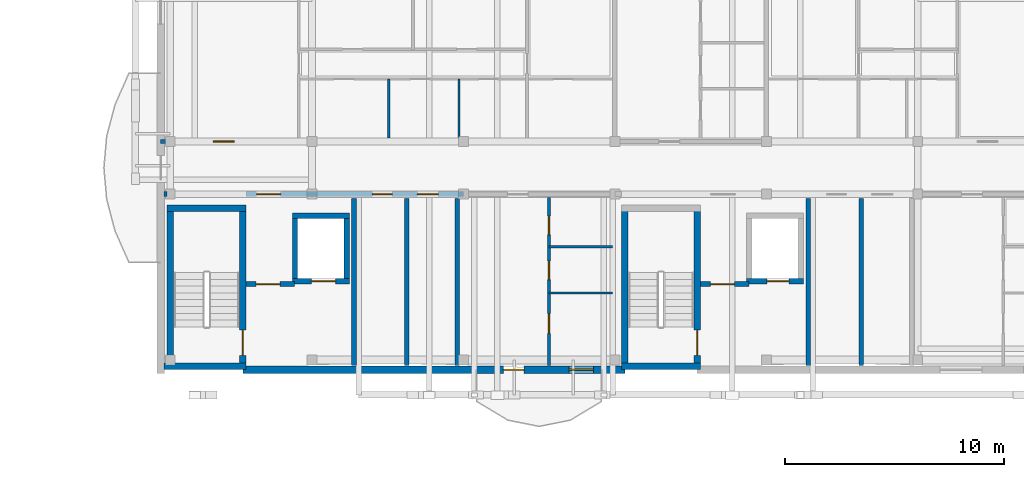
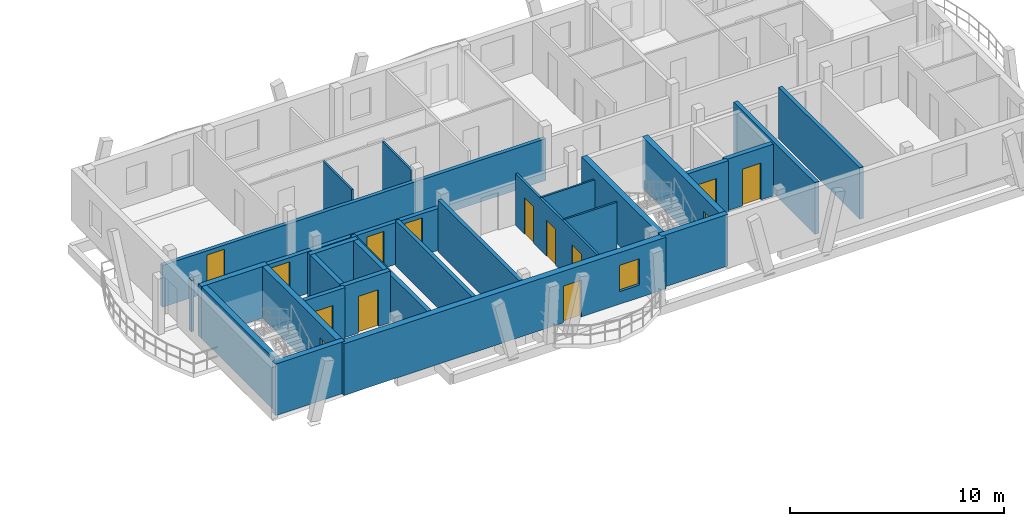
# One storey, part 28 of 42: 28 walls, 14 doors, 1 window, 15 openings.
"""IFC4 building model written with IfcOpenShell, lengths in metres."""

from ifc_helpers import new_model, si_unit, direction, frame, frame_2d, origin, origin_with_axes, place, context, subcontext, project, spatial, rectangle, extrude, material, layer, layer_set, type_object, element, fill, save


model = new_model("IFC4")

# Units and contexts
model_context = context("Model", 3, precision=1e-05, world=origin(), true_north=direction((0.0, 1.0)))
body_context = subcontext(model_context, "Body", "Model", "MODEL_VIEW")
ifc_project = project(units=[si_unit("LENGTHUNIT", "METRE"), si_unit("AREAUNIT", "SQUARE_METRE"), si_unit("VOLUMEUNIT", "CUBIC_METRE"), si_unit("PLANEANGLEUNIT", "RADIAN"), si_unit("MASSUNIT", "GRAM", prefix="KILO")], contexts=[model_context])

# Site, building, storey
site_placement = place(None, origin())
site = spatial("IfcSite", under=ifc_project, at=site_placement, CompositionType="ELEMENT")
building_placement = place(site_placement, origin())
building = spatial("IfcBuilding", under=site, at=building_placement, Name="Zavelmont Quarter", CompositionType="ELEMENT")
storey_placement = place(building_placement, frame((0.0, 0.0, 24.0)))
storey = spatial("IfcBuildingStorey", under=building, at=storey_placement, Name="L07", CompositionType="ELEMENT", Elevation=24.0)

# Wall, openings, door, window
ifc_material_1 = material(Name="Natural Belgian limestone", Category="masonry")
ifc_layer_1 = layer(ifc_material_1, 0.340087890625)
ifc_layer_set_1 = layer_set([ifc_layer_1], Name="Natural Belgian limestone")
wall_type_1 = type_object("IfcWallType", Name="EW03", PredefinedType="STANDARD", material=ifc_layer_set_1)
wall_1_placement = place(storey_placement, frame((130.35009765625, 97.60009765625, 0.0), z_axis=(0.0, 0.0, 1.0), x_axis=(1.0, 0.0, 0.0)))
wall_1 = element("IfcWall", 1, at=wall_1_placement, inside=storey, type_object=wall_type_1, Name="L07 exterior limestone wall EW03", PredefinedType="STANDARD", context=body_context, shape_type="SweptSolid", body=[
    extrude(rectangle(XDim=17.39990234375, YDim=0.340087890625, at=frame_2d((8.699951171875, 0.0))), origin(), (0.0, 0.0, 1.0), 2.949951171875),
])
opening_1_placement = place(wall_1_placement, frame((11.8701171875, 0.0, 0.0)))
opening_1 = element("IfcOpeningElement", 2, at=opening_1_placement, cuts=wall_1, Name="Opening DR04", PredefinedType="OPENING", context=body_context, shape_type="SweptSolid", body=[
    extrude(rectangle(XDim=0.949951171875, YDim=2.10009765625, at=frame_2d((0.47509765625, 1.050048828125))), frame((0.0, 0.18212890625, 0.0), z_axis=(0.0, -1.0, 0.0), x_axis=(1.0, 0.0, 0.0)), (0.0, 0.0, 1.0), 0.364013671875),
])
opening_2_placement = place(wall_1_placement, frame((14.8701171875, 0.0, 0.719970703125)))
opening_2 = element("IfcOpeningElement", 3, at=opening_2_placement, cuts=wall_1, Name="Opening WN09", PredefinedType="OPENING", context=body_context, shape_type="SweptSolid", body=[
    extrude(rectangle(XDim=1.10009765625, YDim=1.5, at=frame_2d((0.550048828125, 0.75))), frame((0.0, 0.18212890625, 0.0), z_axis=(0.0, -1.0, 0.0), x_axis=(1.0, 0.0, 0.0)), (0.0, 0.0, 1.0), 0.364013671875),
])
ifc_material_2 = material(Name="Thermally broken aluminium and double safety glass", Category="aluminium")
door_type_1 = type_object("IfcDoorType", Name="DR04", OperationType="NOTDEFINED", PredefinedType="DOOR", material=ifc_material_2)
door_1_placement = place(opening_1_placement, origin_with_axes())
door_1 = element("IfcDoor", 4, at=door_1_placement, inside=storey, type_object=door_type_1, Name="Block C L07 glazed balcony door", OperationType="SINGLE_SWING_RIGHT", OverallHeight=2.10009765625, OverallWidth=0.949951171875, PredefinedType="DOOR", context=body_context, shape_type="SweptSolid", body=[
    extrude(rectangle(XDim=0.949951171875, YDim=2.10009765625, at=frame_2d((0.47509765625, 1.050048828125))), frame((0.0, 0.02490234375, 0.0), z_axis=(0.0, -1.0, 0.0), x_axis=(1.0, 0.0, 0.0)), (0.0, 0.0, 1.0), 0.050048828125),
])
fill(opening_1, door_1)
ifc_material_3 = material(Name="Double low-E insulated glazing in thermally broken aluminium frame", Category="aluminium")
window_type = type_object("IfcWindowType", Name="WN09", PartitioningType="SINGLE_PANEL", PredefinedType="WINDOW", material=ifc_material_3)
window_placement = place(opening_2_placement, origin_with_axes())
window = element("IfcWindow", 5, at=window_placement, inside=storey, type_object=window_type, Name="L07 window WN09", OverallHeight=1.5, OverallWidth=1.10009765625, PartitioningType="SINGLE_PANEL", PredefinedType="WINDOW", context=body_context, shape_type="SweptSolid", body=[
    extrude(rectangle(XDim=1.10009765625, YDim=1.5, at=frame_2d((0.550048828125, 0.75))), frame((0.0, 0.030029296875, 0.0), z_axis=(0.0, -1.0, 0.0), x_axis=(1.0, 0.0, 0.0)), (0.0, 0.0, 1.0), 0.06005859375),
])
fill(opening_2, window)

# Walls
ifc_material_4 = material(Name="Calcium-silicate blockwork and acoustic plaster", Category="masonry")
ifc_layer_2 = layer(ifc_material_4, 0.199951171875)
ifc_layer_set_2 = layer_set([ifc_layer_2], Name="Calcium-silicate blockwork and acoustic plaster")
wall_type_2 = type_object("IfcWallType", Name="IW01", PredefinedType="PARTITIONING", material=ifc_layer_set_2)
wall_2_placement = place(storey_placement, frame((137.824951171875, 97.800048828125, 0.0), z_axis=(0.0, 0.0, 1.0), x_axis=(0.0, 1.0, 0.0)))
element("IfcWall", 6, at=wall_2_placement, inside=storey, type_object=wall_type_2, Name="L07 Service riser divider wall IW01", PredefinedType="PARTITIONING", context=body_context, shape_type="SweptSolid", body=[
    extrude(rectangle(XDim=7.599853515625, YDim=0.199951171875, at=frame_2d((3.7998046875, 0.0))), origin(), (0.0, 0.0, 1.0), 2.590087890625),
])
for number, where, z_axis, x_axis, name in (
    (7, (140.1201171875, 97.800048828125, 0.0), (0.0, 0.0, 1.0), (0.0, 1.0, 0.0), "L07 Core service end wall IW01"),
    (8, (158.52490234375, 97.800048828125, 0.0), (0.0, 0.0, 1.0), (0.0, 1.0, 0.0), "L07 Service riser divider wall IW01"),
):
    element("IfcWall", number, at=place(storey_placement, frame(where, z_axis=z_axis, x_axis=x_axis)), inside=storey, type_object=wall_type_2, Name=name, PredefinedType="PARTITIONING", context=body_context, shape_type="SweptSolid", body=[
        extrude(rectangle(XDim=7.599853515625, YDim=0.199951171875, at=frame_2d((3.7998046875, 0.0))), origin(), (0.0, 0.0, 1.0), 2.949951171875),
    ])

# Wall, opening, door
wall_3_placement = place(storey_placement, frame((126.60009765625, 108.0, 0.0), z_axis=(0.0, 0.0, 1.0), x_axis=(1.0, 0.0, 0.0)))
wall_3 = element("IfcWall", 9, at=wall_3_placement, inside=storey, type_object=wall_type_2, Name="L07 Corridor compartment wall IW01", PredefinedType="PARTITIONING", context=body_context, shape_type="SweptSolid", body=[
    extrude(rectangle(XDim=20.699951171875, YDim=0.199951171875, at=frame_2d((10.35009765625, 0.0))), origin(), (0.0, 0.0, 1.0), 2.389892578125),
])
opening_3_placement = place(wall_3_placement, frame((2.39990234375, 0.0, 0.0)))
opening_3 = element("IfcOpeningElement", 10, at=opening_3_placement, cuts=wall_3, Name="Opening DR02", PredefinedType="OPENING", context=body_context, shape_type="SweptSolid", body=[
    extrude(rectangle(XDim=0.949951171875, YDim=2.14990234375, at=frame_2d((0.47509765625, 1.074951171875))), frame((0.0, 0.11181640625, 0.0), z_axis=(0.0, -1.0, 0.0), x_axis=(1.0, 0.0, 0.0)), (0.0, 0.0, 1.0), 0.223876953125),
])
ifc_material_5 = material(Name="Solid-core oak fire leaf in steel frame", Category="steel")
door_type_2 = type_object("IfcDoorType", Name="DR02", OperationType="NOTDEFINED", PredefinedType="DOOR", material=ifc_material_5)
door_2_placement = place(opening_3_placement, origin_with_axes())
door_2 = element("IfcDoor", 11, at=door_2_placement, inside=storey, type_object=door_type_2, Name="L07 door DR02", OperationType="SINGLE_SWING_RIGHT", OverallHeight=2.14990234375, OverallWidth=0.949951171875, PredefinedType="DOOR", context=body_context, shape_type="SweptSolid", body=[
    extrude(rectangle(XDim=0.949951171875, YDim=2.14990234375, at=frame_2d((0.47509765625, 1.074951171875))), frame((0.0, 0.02490234375, 0.0), z_axis=(0.0, -1.0, 0.0), x_axis=(1.0, 0.0, 0.0)), (0.0, 0.0, 1.0), 0.050048828125),
])
fill(opening_3, door_2)

# Wall
ifc_material_6 = material(Name="Reinforced masonry fire compartment wall", Category="masonry")
ifc_layer_3 = layer(ifc_material_6, 0.22509765625)
ifc_layer_set_3 = layer_set([ifc_layer_3], Name="Reinforced masonry fire compartment wall")
wall_type_3 = type_object("IfcWallType", Name="IW02", PredefinedType="PARTITIONING", material=ifc_layer_set_3)
wall_4_placement = place(storey_placement, frame((135.409912109375, 97.800048828125, 0.0), z_axis=(0.0, 0.0, 1.0), x_axis=(0.0, 1.0, 0.0)))
element("IfcWall", 12, at=wall_4_placement, inside=storey, type_object=wall_type_3, Name="L07 Firefighting lobby enclosure wall IW02", PredefinedType="PARTITIONING", context=body_context, shape_type="SweptSolid", body=[
    extrude(rectangle(XDim=7.599853515625, YDim=0.22509765625, at=frame_2d((3.7998046875, 0.0))), origin(), (0.0, 0.0, 1.0), 2.590087890625),
])

# Wall, opening, door
wall_5_placement = place(storey_placement, frame((130.5, 101.5, 0.0), z_axis=(0.0, 0.0, 1.0), x_axis=(1.0, 0.0, 0.0)))
wall_5 = element("IfcWall", 13, at=wall_5_placement, inside=storey, type_object=wall_type_3, Name="L07 Firefighting lobby threshold wall IW02", PredefinedType="PARTITIONING", context=body_context, shape_type="SweptSolid", body=[
    extrude(rectangle(XDim=2.199951171875, YDim=0.22509765625, at=frame_2d((1.10009765625, 0.0))), origin(), (0.0, 0.0, 1.0), 2.949951171875),
])
opening_4_placement = place(wall_5_placement, frame((0.449951171875, 0.0, 0.0)))
opening_4 = element("IfcOpeningElement", 14, at=opening_4_placement, cuts=wall_5, Name="Opening DR10", PredefinedType="OPENING", context=body_context, shape_type="SweptSolid", body=[
    extrude(rectangle(XDim=1.10009765625, YDim=2.14990234375, at=frame_2d((0.550048828125, 1.074951171875))), frame((0.0, 0.12451171875, 0.0), z_axis=(0.0, -1.0, 0.0), x_axis=(1.0, 0.0, 0.0)), (0.0, 0.0, 1.0), 0.2490234375),
])
ifc_material_7 = material(Name="Painted steel lobby fire door", Category="steel")
door_type_3 = type_object("IfcDoorType", Name="DR10", OperationType="NOTDEFINED", PredefinedType="DOOR", material=ifc_material_7)
door_3_placement = place(opening_4_placement, frame((1.10009765625, 0.0, 0.0), z_axis=(0.0, 0.0, 1.0), x_axis=(-1.0, 0.0, 0.0)))
door_3 = element("IfcDoor", 15, at=door_3_placement, inside=storey, type_object=door_type_3, Name="Firefighting lobby fire door", OperationType="SINGLE_SWING_LEFT", OverallHeight=2.14990234375, OverallWidth=1.10009765625, PredefinedType="DOOR", context=body_context, shape_type="SweptSolid", body=[
    extrude(rectangle(XDim=1.10009765625, YDim=2.14990234375, at=frame_2d((0.550048828125, 1.074951171875))), frame((0.0, 0.02490234375, 0.0), z_axis=(0.0, -1.0, 0.0), x_axis=(1.0, 0.0, 0.0)), (0.0, 0.0, 1.0), 0.050048828125),
])
fill(opening_4, door_3)

# Wall
wall_6_placement = place(storey_placement, frame((126.75, 105.60009765625, 0.0), z_axis=(0.0, 0.0, 1.0), x_axis=(1.0, 0.0, 0.0)))
element("IfcWall", 16, at=wall_6_placement, inside=storey, type_object=wall_type_3, Name="L07 Core corridor wall IW02", PredefinedType="PARTITIONING", context=body_context, shape_type="SweptSolid", body=[
    extrude(rectangle(XDim=0.14990234375, YDim=0.22509765625, at=frame_2d((0.074951171875, 0.0))), origin(), (0.0, 0.0, 1.0), 2.949951171875),
])

# Wall, openings, doors
wall_7_placement = place(storey_placement, frame((130.5, 105.60009765625, 0.0), z_axis=(0.0, 0.0, 1.0), x_axis=(1.0, 0.0, 0.0)))
wall_7 = element("IfcWall", 17, at=wall_7_placement, inside=storey, type_object=wall_type_3, Name="L07 Core corridor fire wall IW02", PredefinedType="PARTITIONING", context=body_context, shape_type="SweptSolid", body=[
    extrude(rectangle(XDim=9.89990234375, YDim=0.22509765625, at=frame_2d((4.949951171875, 0.0))), origin(), (0.0, 0.0, 1.0), 2.389892578125),
])
opening_5_placement = place(wall_7_placement, frame((0.47509765625, 0.0, 0.0)))
opening_5 = element("IfcOpeningElement", 18, at=opening_5_placement, cuts=wall_7, Name="Opening DR10", PredefinedType="OPENING", context=body_context, shape_type="SweptSolid", body=[
    extrude(rectangle(XDim=1.10009765625, YDim=2.14990234375, at=frame_2d((0.550048828125, 1.074951171875))), frame((0.0, 0.12451171875, 0.0), z_axis=(0.0, -1.0, 0.0), x_axis=(1.0, 0.0, 0.0)), (0.0, 0.0, 1.0), 0.2490234375),
])
opening_6_placement = place(wall_7_placement, frame((5.75, 0.0, 0.0)))
opening_6 = element("IfcOpeningElement", 19, at=opening_6_placement, cuts=wall_7, Name="Opening DR11", PredefinedType="OPENING", context=body_context, shape_type="SweptSolid", body=[
    extrude(rectangle(XDim=0.89990234375, YDim=2.10009765625, at=frame_2d((0.449951171875, 1.050048828125))), frame((0.0, 0.12451171875, 0.0), z_axis=(0.0, -1.0, 0.0), x_axis=(1.0, 0.0, 0.0)), (0.0, 0.0, 1.0), 0.2490234375),
])
opening_7_placement = place(wall_7_placement, frame((7.800048828125, 0.0, 0.0)))
opening_7 = element("IfcOpeningElement", 20, at=opening_7_placement, cuts=wall_7, Name="Opening DR02", PredefinedType="OPENING", context=body_context, shape_type="SweptSolid", body=[
    extrude(rectangle(XDim=0.949951171875, YDim=2.14990234375, at=frame_2d((0.47509765625, 1.074951171875))), frame((0.0, 0.12451171875, 0.0), z_axis=(0.0, -1.0, 0.0), x_axis=(1.0, 0.0, 0.0)), (0.0, 0.0, 1.0), 0.2490234375),
])
door_4_placement = place(opening_7_placement, origin_with_axes())
door_4 = element("IfcDoor", 21, at=door_4_placement, inside=storey, type_object=door_type_2, Name="Auxiliary store corridor door", OperationType="SINGLE_SWING_RIGHT", OverallHeight=2.14990234375, OverallWidth=0.949951171875, PredefinedType="DOOR", context=body_context, shape_type="SweptSolid", body=[
    extrude(rectangle(XDim=0.949951171875, YDim=2.14990234375, at=frame_2d((0.47509765625, 1.074951171875))), frame((0.0, 0.02490234375, 0.0), z_axis=(0.0, -1.0, 0.0), x_axis=(1.0, 0.0, 0.0)), (0.0, 0.0, 1.0), 0.050048828125),
])
fill(opening_7, door_4)
door_5_placement = place(opening_5_placement, frame((1.10009765625, 0.0, 0.0), z_axis=(0.0, 0.0, 1.0), x_axis=(-1.0, 0.0, 0.0)))
door_5 = element("IfcDoor", 22, at=door_5_placement, inside=storey, type_object=door_type_3, Name="Core vestibule fire door", OperationType="SINGLE_SWING_RIGHT", OverallHeight=2.14990234375, OverallWidth=1.10009765625, PredefinedType="DOOR", context=body_context, shape_type="SweptSolid", body=[
    extrude(rectangle(XDim=1.10009765625, YDim=2.14990234375, at=frame_2d((0.550048828125, 1.074951171875))), frame((0.0, 0.02490234375, 0.0), z_axis=(0.0, -1.0, 0.0), x_axis=(1.0, 0.0, 0.0)), (0.0, 0.0, 1.0), 0.050048828125),
])
fill(opening_5, door_5)
ifc_material_8 = material(Name="Painted steel service-riser fire door", Category="steel")
door_type_4 = type_object("IfcDoorType", Name="DR11", OperationType="NOTDEFINED", PredefinedType="DOOR", material=ifc_material_8)
door_6_placement = place(opening_6_placement, origin_with_axes())
door_6 = element("IfcDoor", 23, at=door_6_placement, inside=storey, type_object=door_type_4, Name="Service riser fire door", OperationType="SINGLE_SWING_LEFT", OverallHeight=2.10009765625, OverallWidth=0.89990234375, PredefinedType="DOOR", context=body_context, shape_type="SweptSolid", body=[
    extrude(rectangle(XDim=0.89990234375, YDim=2.10009765625, at=frame_2d((0.449951171875, 1.050048828125))), frame((0.0, 0.02490234375, 0.0), z_axis=(0.0, -1.0, 0.0), x_axis=(1.0, 0.0, 0.0)), (0.0, 0.0, 1.0), 0.050048828125),
])
fill(opening_6, door_6)

# Wall
wall_8_placement = place(storey_placement, frame((156.110107421875, 97.800048828125, 0.0), z_axis=(0.0, 0.0, 1.0), x_axis=(0.0, 1.0, 0.0)))
element("IfcWall", 24, at=wall_8_placement, inside=storey, type_object=wall_type_3, Name="L07 Firefighting lobby enclosure wall IW02", PredefinedType="PARTITIONING", context=body_context, shape_type="SweptSolid", body=[
    extrude(rectangle(XDim=7.599853515625, YDim=0.22509765625, at=frame_2d((3.7998046875, 0.0))), origin(), (0.0, 0.0, 1.0), 2.949951171875),
])

# Wall, opening, door
wall_9_placement = place(storey_placement, frame((151.199951171875, 101.5, 0.0), z_axis=(0.0, 0.0, 1.0), x_axis=(1.0, 0.0, 0.0)))
wall_9 = element("IfcWall", 25, at=wall_9_placement, inside=storey, type_object=wall_type_3, Name="L07 Firefighting lobby threshold wall IW02", PredefinedType="PARTITIONING", context=body_context, shape_type="SweptSolid", body=[
    extrude(rectangle(XDim=2.199951171875, YDim=0.22509765625, at=frame_2d((1.10009765625, 0.0))), origin(), (0.0, 0.0, 1.0), 2.949951171875),
])
opening_8_placement = place(wall_9_placement, frame((0.449951171875, 0.0, 0.0)))
opening_8 = element("IfcOpeningElement", 26, at=opening_8_placement, cuts=wall_9, Name="Opening DR10", PredefinedType="OPENING", context=body_context, shape_type="SweptSolid", body=[
    extrude(rectangle(XDim=1.10009765625, YDim=2.14990234375, at=frame_2d((0.550048828125, 1.074951171875))), frame((0.0, 0.12451171875, 0.0), z_axis=(0.0, -1.0, 0.0), x_axis=(1.0, 0.0, 0.0)), (0.0, 0.0, 1.0), 0.2490234375),
])
door_7_placement = place(opening_8_placement, frame((1.10009765625, 0.0, 0.0), z_axis=(0.0, 0.0, 1.0), x_axis=(-1.0, 0.0, 0.0)))
door_7 = element("IfcDoor", 27, at=door_7_placement, inside=storey, type_object=door_type_3, Name="Firefighting lobby fire door", OperationType="SINGLE_SWING_RIGHT", OverallHeight=2.14990234375, OverallWidth=1.10009765625, PredefinedType="DOOR", context=body_context, shape_type="SweptSolid", body=[
    extrude(rectangle(XDim=1.10009765625, YDim=2.14990234375, at=frame_2d((0.550048828125, 1.074951171875))), frame((0.0, 0.02490234375, 0.0), z_axis=(0.0, -1.0, 0.0), x_axis=(1.0, 0.0, 0.0)), (0.0, 0.0, 1.0), 0.050048828125),
])
fill(opening_8, door_7)

# Wall, openings, doors
ifc_material_9 = material(Name="Double gypsum board on acoustic steel stud", Category="steel")
ifc_layer_4 = layer(ifc_material_9, 0.125)
ifc_layer_set_4 = layer_set([ifc_layer_4], Name="Double gypsum board on acoustic steel stud")
wall_type_4 = type_object("IfcWallType", Name="IW03", PredefinedType="PARTITIONING", material=ifc_layer_set_4)
wall_10_placement = place(storey_placement, frame((144.300048828125, 105.449951171875, 0.0), z_axis=(0.0, 0.0, 1.0), x_axis=(0.0, -1.0, 0.0)))
wall_10 = element("IfcWall", 28, at=wall_10_placement, inside=storey, type_object=wall_type_4, Name="L07 Partition IW03", PredefinedType="PARTITIONING", context=body_context, shape_type="SweptSolid", body=[
    extrude(rectangle(XDim=7.64990234375, YDim=0.125, at=frame_2d((3.824951171875, 0.0))), origin(), (0.0, 0.0, 1.0), 2.949951171875),
])
opening_9_placement = place(wall_10_placement, frame((0.85009765625, 0.0, 0.0)))
opening_9 = element("IfcOpeningElement", 29, at=opening_9_placement, cuts=wall_10, Name="Opening DR16", PredefinedType="OPENING", context=body_context, shape_type="SweptSolid", body=[
    extrude(rectangle(XDim=0.85009765625, YDim=2.10009765625, at=frame_2d((0.425048828125, 1.050048828125))), frame((0.0, 0.074462890625, 0.0), z_axis=(0.0, -1.0, 0.0), x_axis=(1.0, 0.0, 0.0)), (0.0, 0.0, 1.0), 0.14892578125),
])
opening_10_placement = place(wall_10_placement, frame((2.89990234375, 0.0, 0.0)))
opening_10 = element("IfcOpeningElement", 30, at=opening_10_placement, cuts=wall_10, Name="Opening DR06", PredefinedType="OPENING", context=body_context, shape_type="SweptSolid", body=[
    extrude(rectangle(XDim=0.85009765625, YDim=2.050048828125, at=frame_2d((0.425048828125, 1.02490234375))), frame((0.0, 0.074462890625, 0.0), z_axis=(0.0, -1.0, 0.0), x_axis=(1.0, 0.0, 0.0)), (0.0, 0.0, 1.0), 0.14892578125),
])
opening_11_placement = place(wall_10_placement, frame((5.300048828125, 0.0, 0.0)))
opening_11 = element("IfcOpeningElement", 31, at=opening_11_placement, cuts=wall_10, Name="Opening DR05", PredefinedType="OPENING", context=body_context, shape_type="SweptSolid", body=[
    extrude(rectangle(XDim=0.89990234375, YDim=2.10009765625, at=frame_2d((0.449951171875, 1.050048828125))), frame((0.0, 0.074462890625, 0.0), z_axis=(0.0, -1.0, 0.0), x_axis=(1.0, 0.0, 0.0)), (0.0, 0.0, 1.0), 0.14892578125),
])
ifc_material_10 = material(Name="Engineered oak flush interior door")
door_type_5 = type_object("IfcDoorType", Name="DR05", OperationType="NOTDEFINED", PredefinedType="DOOR", material=ifc_material_10)
door_8_placement = place(opening_11_placement, frame((0.89990234375, 0.0, 0.0), z_axis=(0.0, 0.0, 1.0), x_axis=(-1.0, 0.0, 0.0)))
door_8 = element("IfcDoor", 32, at=door_8_placement, inside=storey, type_object=door_type_5, Name="L07 door DR05", OperationType="SINGLE_SWING_RIGHT", OverallHeight=2.10009765625, OverallWidth=0.89990234375, PredefinedType="DOOR", context=body_context, shape_type="SweptSolid", body=[
    extrude(rectangle(XDim=0.89990234375, YDim=2.10009765625, at=frame_2d((0.449951171875, 1.050048828125))), frame((0.0, 0.02490234375, 0.0), z_axis=(0.0, -1.0, 0.0), x_axis=(1.0, 0.0, 0.0)), (0.0, 0.0, 1.0), 0.050048828125),
])
fill(opening_11, door_8)
ifc_material_11 = material(Name="Moisture-resistant painted wet-room door")
door_type_6 = type_object("IfcDoorType", Name="DR06", OperationType="NOTDEFINED", PredefinedType="DOOR", material=ifc_material_11)
door_9_placement = place(opening_10_placement, origin_with_axes())
door_9 = element("IfcDoor", 33, at=door_9_placement, inside=storey, type_object=door_type_6, Name="L07 door DR06", OperationType="SINGLE_SWING_LEFT", OverallHeight=2.050048828125, OverallWidth=0.85009765625, PredefinedType="DOOR", context=body_context, shape_type="SweptSolid", body=[
    extrude(rectangle(XDim=0.85009765625, YDim=2.050048828125, at=frame_2d((0.425048828125, 1.02490234375))), frame((0.0, 0.02490234375, 0.0), z_axis=(0.0, -1.0, 0.0), x_axis=(1.0, 0.0, 0.0)), (0.0, 0.0, 1.0), 0.050048828125),
])
fill(opening_10, door_9)
door_type_7 = type_object("IfcDoorType", Name="DR16", OperationType="NOTDEFINED", PredefinedType="DOOR", material=ifc_material_10)
door_10_placement = place(opening_9_placement, frame((0.85009765625, 0.0, 0.0), z_axis=(0.0, 0.0, 1.0), x_axis=(-1.0, 0.0, 0.0)))
door_10 = element("IfcDoor", 34, at=door_10_placement, inside=storey, type_object=door_type_7, Name="L07 door DR16", OperationType="SINGLE_SWING_RIGHT", OverallHeight=2.10009765625, OverallWidth=0.85009765625, PredefinedType="DOOR", context=body_context, shape_type="SweptSolid", body=[
    extrude(rectangle(XDim=0.85009765625, YDim=2.10009765625, at=frame_2d((0.425048828125, 1.050048828125))), frame((0.0, 0.02490234375, 0.0), z_axis=(0.0, -1.0, 0.0), x_axis=(1.0, 0.0, 0.0)), (0.0, 0.0, 1.0), 0.050048828125),
])
fill(opening_9, door_10)

# Walls
ifc_material_12 = material(Name="Moisture-resistant gypsum board on steel stud", Category="steel")
ifc_layer_5 = layer(ifc_material_12, 0.10009765625)
ifc_layer_set_5 = layer_set([ifc_layer_5], Name="Moisture-resistant gypsum board on steel stud")
wall_type_5 = type_object("IfcWallType", Name="IW04", PredefinedType="PARTITIONING", material=ifc_layer_set_5)
for number, where, z_axis, x_axis, name in (
    (35, (137.0, 108.14990234375, 0.0), (0.0, 0.0, 1.0), (0.0, 1.0, 0.0), "L07 Partition IW04"),
    (36, (140.199951171875, 108.14990234375, 0.0), (0.0, 0.0, 1.0), (0.0, 1.0, 0.0), "L07 Partition IW04"),
):
    element("IfcWall", number, at=place(storey_placement, frame(where, z_axis=z_axis, x_axis=x_axis)), inside=storey, type_object=wall_type_5, Name=name, PredefinedType="PARTITIONING", context=body_context, shape_type="SweptSolid", body=[
        extrude(rectangle(XDim=2.7001953125, YDim=0.10009765625, at=frame_2d((1.35009765625, 0.0))), origin(), (0.0, 0.0, 1.0), 2.949951171875),
    ])
for number, where, z_axis, x_axis, name in (
    (37, (144.300048828125, 103.199951171875, 0.0), (0.0, 0.0, 1.0), (1.0, 0.0, 0.0), "L07 Partition IW04"),
    (38, (144.300048828125, 101.10009765625, 0.0), (0.0, 0.0, 1.0), (1.0, 0.0, 0.0), "L07 Partition IW04"),
):
    element("IfcWall", number, at=place(storey_placement, frame(where, z_axis=z_axis, x_axis=x_axis)), inside=storey, type_object=wall_type_5, Name=name, PredefinedType="PARTITIONING", context=body_context, shape_type="SweptSolid", body=[
        extrude(rectangle(XDim=2.89990234375, YDim=0.10009765625, at=frame_2d((1.449951171875, 0.0))), origin(), (0.0, 0.0, 1.0), 2.949951171875),
    ])
ifc_material_13 = material(Name="Concrete C40/50", Category="concrete")
ifc_layer_6 = layer(ifc_material_13, 0.300048828125)
ifc_layer_set_6 = layer_set([ifc_layer_6], Name="Concrete C40/50")
wall_type_6 = type_object("IfcWallType", Name="SW01", PredefinedType="SHEAR", material=ifc_layer_set_6)
wall_11_placement = place(storey_placement, frame((126.89990234375, 104.949951171875, 0.0), z_axis=(0.0, 0.0, 1.0), x_axis=(1.0, 0.0, 0.0)))
element("IfcWall", 39, at=wall_11_placement, inside=storey, type_object=wall_type_6, Name="L07 ST05 corridor shear wall SW01", PredefinedType="SHEAR", context=body_context, shape_type="SweptSolid", body=[
    extrude(rectangle(XDim=3.60009765625, YDim=0.300048828125, at=frame_2d((1.800048828125, 0.0))), origin(), (0.0, 0.0, 1.0), 2.949951171875),
])
wall_12_placement = place(storey_placement, frame((127.050048828125, 97.60009765625, 0.0), z_axis=(0.0, 0.0, 1.0), x_axis=(0.0, 1.0, 0.0)))
element("IfcWall", 40, at=wall_12_placement, inside=storey, type_object=wall_type_6, Name="L07 ST05 west shear wall SW01", PredefinedType="SHEAR", context=body_context, shape_type="SweptSolid", body=[
    extrude(rectangle(XDim=7.5, YDim=0.300048828125, at=frame_2d((3.75, 0.0))), origin(), (0.0, 0.0, 1.0), 2.949951171875),
])

# Wall, opening, door
wall_13_placement = place(storey_placement, frame((130.35009765625, 97.60009765625, 0.0), z_axis=(0.0, 0.0, 1.0), x_axis=(0.0, 1.0, 0.0)))
wall_13 = element("IfcWall", 41, at=wall_13_placement, inside=storey, type_object=wall_type_6, Name="L07 ST05 lobby shear wall SW01", PredefinedType="SHEAR", context=body_context, shape_type="SweptSolid", body=[
    extrude(rectangle(XDim=7.5, YDim=0.300048828125, at=frame_2d((3.75, 0.0))), origin(), (0.0, 0.0, 1.0), 2.949951171875),
])
opening_12_placement = place(wall_13_placement, frame((0.64990234375, 0.0, 0.0)))
opening_12 = element("IfcOpeningElement", 42, at=opening_12_placement, cuts=wall_13, Name="Opening DR09", PredefinedType="OPENING", context=body_context, shape_type="SweptSolid", body=[
    extrude(rectangle(XDim=1.14990234375, YDim=2.14990234375, at=frame_2d((0.574951171875, 1.074951171875))), frame((0.0, 0.162109375, 0.0), z_axis=(0.0, -1.0, 0.0), x_axis=(1.0, 0.0, 0.0)), (0.0, 0.0, 1.0), 0.323974609375),
])
ifc_material_14 = material(Name="Painted steel stair-core fire door", Category="steel")
door_type_8 = type_object("IfcDoorType", Name="DR09", OperationType="NOTDEFINED", PredefinedType="DOOR", material=ifc_material_14)
door_11_placement = place(opening_12_placement, origin_with_axes())
door_11 = element("IfcDoor", 43, at=door_11_placement, inside=storey, type_object=door_type_8, Name="ST05 protected stair door", OperationType="SINGLE_SWING_RIGHT", OverallHeight=2.14990234375, OverallWidth=1.14990234375, PredefinedType="DOOR", context=body_context, shape_type="SweptSolid", body=[
    extrude(rectangle(XDim=1.14990234375, YDim=2.14990234375, at=frame_2d((0.574951171875, 1.074951171875))), frame((0.0, 0.02490234375, 0.0), z_axis=(0.0, -1.0, 0.0), x_axis=(1.0, 0.0, 0.0)), (0.0, 0.0, 1.0), 0.050048828125),
])
fill(opening_12, door_11)

# Wall
wall_14_placement = place(storey_placement, frame((147.75, 97.60009765625, 0.0), z_axis=(0.0, 0.0, 1.0), x_axis=(0.0, 1.0, 0.0)))
element("IfcWall", 44, at=wall_14_placement, inside=storey, type_object=wall_type_6, Name="L07 ST06 west shear wall SW01", PredefinedType="SHEAR", context=body_context, shape_type="SweptSolid", body=[
    extrude(rectangle(XDim=7.5, YDim=0.300048828125, at=frame_2d((3.75, 0.0))), origin(), (0.0, 0.0, 1.0), 2.949951171875),
])

# Wall, opening, door
wall_15_placement = place(storey_placement, frame((151.050048828125, 97.60009765625, 0.0), z_axis=(0.0, 0.0, 1.0), x_axis=(0.0, 1.0, 0.0)))
wall_15 = element("IfcWall", 45, at=wall_15_placement, inside=storey, type_object=wall_type_6, Name="L07 ST06 lobby shear wall SW01", PredefinedType="SHEAR", context=body_context, shape_type="SweptSolid", body=[
    extrude(rectangle(XDim=7.5, YDim=0.300048828125, at=frame_2d((3.75, 0.0))), origin(), (0.0, 0.0, 1.0), 2.949951171875),
])
opening_13_placement = place(wall_15_placement, frame((0.64990234375, 0.0, 0.0)))
opening_13 = element("IfcOpeningElement", 46, at=opening_13_placement, cuts=wall_15, Name="Opening DR09", PredefinedType="OPENING", context=body_context, shape_type="SweptSolid", body=[
    extrude(rectangle(XDim=1.14990234375, YDim=2.14990234375, at=frame_2d((0.574951171875, 1.074951171875))), frame((0.0, 0.162109375, 0.0), z_axis=(0.0, -1.0, 0.0), x_axis=(1.0, 0.0, 0.0)), (0.0, 0.0, 1.0), 0.323974609375),
])
door_12_placement = place(opening_13_placement, origin_with_axes())
door_12 = element("IfcDoor", 47, at=door_12_placement, inside=storey, type_object=door_type_8, Name="ST06 protected stair door", OperationType="SINGLE_SWING_RIGHT", OverallHeight=2.14990234375, OverallWidth=1.14990234375, PredefinedType="DOOR", context=body_context, shape_type="SweptSolid", body=[
    extrude(rectangle(XDim=1.14990234375, YDim=2.14990234375, at=frame_2d((0.574951171875, 1.074951171875))), frame((0.0, 0.02490234375, 0.0), z_axis=(0.0, -1.0, 0.0), x_axis=(1.0, 0.0, 0.0)), (0.0, 0.0, 1.0), 0.050048828125),
])
fill(opening_13, door_12)

ifc_layer_7 = layer(ifc_material_13, 0.25)
ifc_layer_set_7 = layer_set([ifc_layer_7], Name="Concrete C40/50")
wall_type_7 = type_object("IfcWallType", Name="SW02", PredefinedType="SHEAR", material=ifc_layer_set_7)
wall_16_placement = place(storey_placement, frame((132.60009765625, 101.625, 0.0), z_axis=(0.0, 0.0, 1.0), x_axis=(1.0, 0.0, 0.0)))
wall_16 = element("IfcWall", 48, at=wall_16_placement, inside=storey, type_object=wall_type_7, Name="L07 Lift FL03 landing shaft wall SW02", PredefinedType="SHEAR", context=body_context, shape_type="SweptSolid", body=[
    extrude(rectangle(XDim=2.599853515625, YDim=0.25, at=frame_2d((1.2998046875, 0.0))), origin(), (0.0, 0.0, 1.0), 2.949951171875),
])
opening_14_placement = place(wall_16_placement, frame((0.875, 0.0, 0.0)))
opening_14 = element("IfcOpeningElement", 49, at=opening_14_placement, cuts=wall_16, Name="Opening LD02", PredefinedType="OPENING", context=body_context, shape_type="SweptSolid", body=[
    extrude(rectangle(XDim=1.10009765625, YDim=2.10009765625, at=frame_2d((0.550048828125, 1.050048828125))), frame((0.0, 0.136962890625, 0.0), z_axis=(0.0, -1.0, 0.0), x_axis=(1.0, 0.0, 0.0)), (0.0, 0.0, 1.0), 0.27392578125),
])
ifc_material_15 = material(Name="Brushed stainless-steel firefighting lift landing door", Category="steel")
door_type_9 = type_object("IfcDoorType", Name="LD02", OperationType="SLIDING_TO_LEFT", PredefinedType="DOOR", material=ifc_material_15)
door_13_placement = place(opening_14_placement, origin_with_axes())
door_13 = element("IfcDoor", 50, at=door_13_placement, inside=storey, type_object=door_type_9, Name="Lift FL03 sliding landing door", OperationType="SLIDING_TO_LEFT", OverallHeight=2.10009765625, OverallWidth=1.10009765625, PredefinedType="DOOR", context=body_context, shape_type="SweptSolid", body=[
    extrude(rectangle(XDim=1.10009765625, YDim=2.10009765625, at=frame_2d((0.550048828125, 1.050048828125))), frame((0.0, 0.02490234375, 0.0), z_axis=(0.0, -1.0, 0.0), x_axis=(1.0, 0.0, 0.0)), (0.0, 0.0, 1.0), 0.050048828125),
])
fill(opening_14, door_13)

# Walls
wall_17_placement = place(storey_placement, frame((132.60009765625, 104.625, 0.0), z_axis=(0.0, 0.0, 1.0), x_axis=(1.0, 0.0, 0.0)))
element("IfcWall", 51, at=wall_17_placement, inside=storey, type_object=wall_type_7, Name="L07 Lift FL03 back shaft wall SW02", PredefinedType="SHEAR", context=body_context, shape_type="SweptSolid", body=[
    extrude(rectangle(XDim=2.599853515625, YDim=0.25, at=frame_2d((1.2998046875, 0.0))), origin(), (0.0, 0.0, 1.0), 2.949951171875),
])
for number, where, z_axis, x_axis, name in (
    (52, (132.72509765625, 101.5, 0.0), (0.0, 0.0, 1.0), (0.0, 1.0, 0.0), "L07 Lift FL03 west shaft wall SW02"),
    (53, (135.074951171875, 101.5, 0.0), (0.0, 0.0, 1.0), (0.0, 1.0, 0.0), "L07 Lift FL03 east shaft wall SW02"),
):
    element("IfcWall", number, at=place(storey_placement, frame(where, z_axis=z_axis, x_axis=x_axis)), inside=storey, type_object=wall_type_7, Name=name, PredefinedType="SHEAR", context=body_context, shape_type="SweptSolid", body=[
        extrude(rectangle(XDim=3.25, YDim=0.25, at=frame_2d((1.625, 0.0))), origin(), (0.0, 0.0, 1.0), 2.949951171875),
    ])

# Wall, opening, door
wall_18_placement = place(storey_placement, frame((153.300048828125, 101.625, 0.0), z_axis=(0.0, 0.0, 1.0), x_axis=(1.0, 0.0, 0.0)))
wall_18 = element("IfcWall", 54, at=wall_18_placement, inside=storey, type_object=wall_type_7, Name="L07 Lift LF06 landing shaft wall SW02", PredefinedType="SHEAR", context=body_context, shape_type="SweptSolid", body=[
    extrude(rectangle(XDim=2.599853515625, YDim=0.25, at=frame_2d((1.2998046875, 0.0))), origin(), (0.0, 0.0, 1.0), 2.949951171875),
])
opening_15_placement = place(wall_18_placement, frame((0.925048828125, 0.0, 0.0)))
opening_15 = element("IfcOpeningElement", 55, at=opening_15_placement, cuts=wall_18, Name="Opening LD01", PredefinedType="OPENING", context=body_context, shape_type="SweptSolid", body=[
    extrude(rectangle(XDim=1.0, YDim=2.10009765625, at=frame_2d((0.5, 1.050048828125))), frame((0.0, 0.136962890625, 0.0), z_axis=(0.0, -1.0, 0.0), x_axis=(1.0, 0.0, 0.0)), (0.0, 0.0, 1.0), 0.27392578125),
])
ifc_material_16 = material(Name="Brushed stainless-steel automatic sliding landing door", Category="steel")
door_type_10 = type_object("IfcDoorType", Name="LD01", OperationType="SLIDING_TO_LEFT", PredefinedType="DOOR", material=ifc_material_16)
door_14_placement = place(opening_15_placement, origin_with_axes())
door_14 = element("IfcDoor", 56, at=door_14_placement, inside=storey, type_object=door_type_10, Name="Lift LF06 sliding landing door", OperationType="SLIDING_TO_LEFT", OverallHeight=2.10009765625, OverallWidth=1.0, PredefinedType="DOOR", context=body_context, shape_type="SweptSolid", body=[
    extrude(rectangle(XDim=1.0, YDim=2.10009765625, at=frame_2d((0.5, 1.050048828125))), frame((0.0, 0.02490234375, 0.0), z_axis=(0.0, -1.0, 0.0), x_axis=(1.0, 0.0, 0.0)), (0.0, 0.0, 1.0), 0.050048828125),
])
fill(opening_15, door_14)

# Walls
ifc_layer_8 = layer(ifc_material_13, 0.300048828125)
ifc_layer_set_8 = layer_set([ifc_layer_8], Name="Concrete C40/50")
wall_type_8 = type_object("IfcWallType", Name="SW03", PredefinedType="SHEAR", material=ifc_layer_set_8)
wall_19_placement = place(storey_placement, frame((126.75, 97.75, 0.0), z_axis=(0.0, 0.0, 1.0), x_axis=(1.0, 0.0, 0.0)))
element("IfcWall", 57, at=wall_19_placement, inside=storey, type_object=wall_type_8, Name="L07 ST05 outer shear wall SW03", PredefinedType="SHEAR", context=body_context, shape_type="SweptSolid", body=[
    extrude(rectangle(XDim=3.75, YDim=0.300048828125, at=frame_2d((1.875, 0.0))), origin(), (0.0, 0.0, 1.0), 2.949951171875),
])
wall_20_placement = place(storey_placement, frame((147.60009765625, 97.75, 0.0), z_axis=(0.0, 0.0, 1.0), x_axis=(1.0, 0.0, 0.0)))
element("IfcWall", 58, at=wall_20_placement, inside=storey, type_object=wall_type_8, Name="L07 ST06 outer shear wall SW03", PredefinedType="SHEAR", context=body_context, shape_type="SweptSolid", body=[
    extrude(rectangle(XDim=3.599853515625, YDim=0.300048828125, at=frame_2d((1.7998046875, 0.0))), origin(), (0.0, 0.0, 1.0), 2.949951171875),
])

save(model, "model.ifc")
